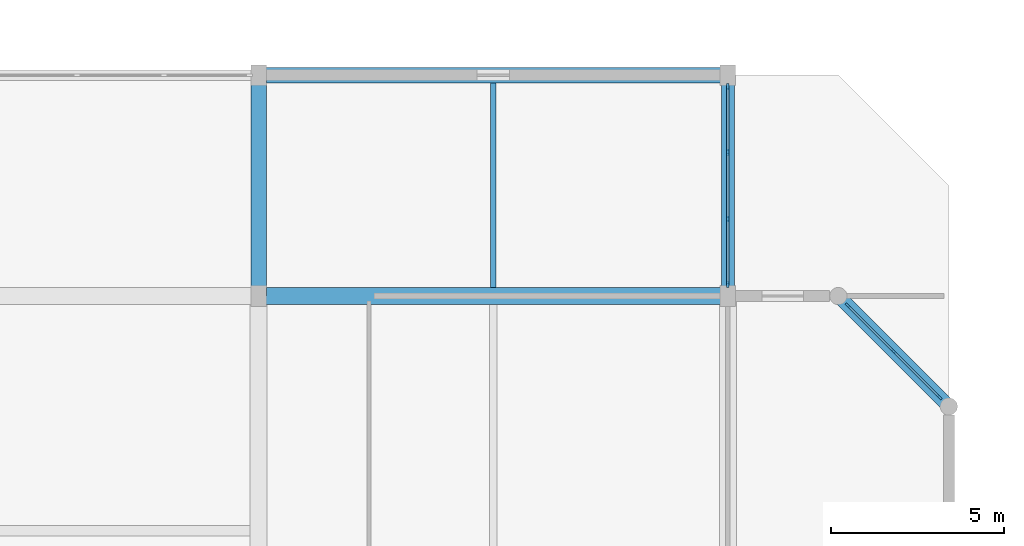
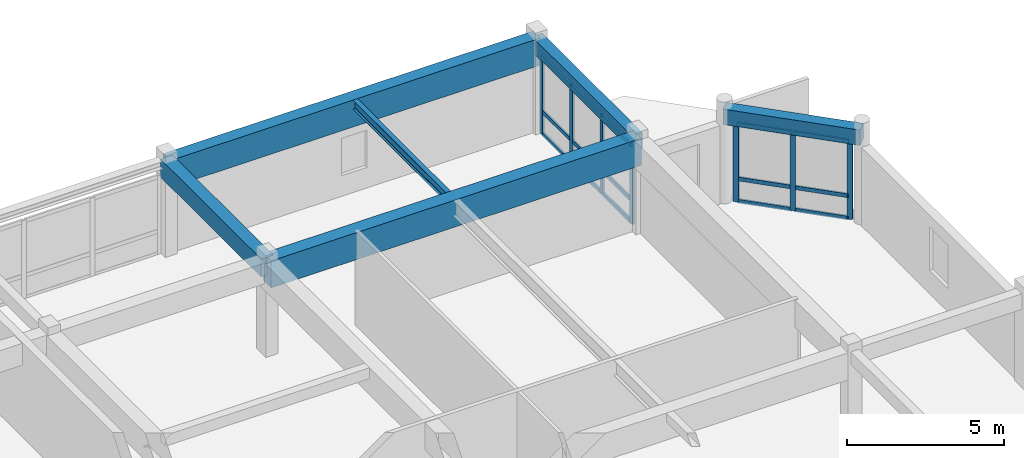
# One storey, part 6 of 12: 22 members, 6 beams, 2 elements without a shape of their own.
"""IFC4 building model written with IfcOpenShell, lengths in metres."""

import ifcopenshell
import ifcopenshell.guid

model = None  # the IFC model being written
_history = None  # IfcOwnerHistory: only IFC2X3 demands one
_inside = {}  # id of a spatial element -> (the spatial element, [elements in it])
_under = {}  # id of a project, library or spatial element -> (it, [spatial elements below it])
_declared = {}  # id of a project -> (the project, [libraries it declares])
_typed = {}  # id of a type object -> (the type object, [elements of that type])
_made_of = {}  # id of a material, layer set ... -> (it, [elements and type objects made of it])


def new_model(schema):
    """Start an empty IFC model of exactly this schema.

    Asked for "IFC4X3", IfcOpenShell would pick the latest addendum, in which some entities
    have other attributes; the version numbers below select the first issue.
    IFC2X3 requires an IfcOwnerHistory on every rooted entity: one is made here for all.
    """
    global model, _history
    if schema == "IFC4X3":
        model = ifcopenshell.file(schema_version=(4, 3, 0, 0))
    else:
        model = ifcopenshell.file(schema=schema)
    _inside.clear()
    _under.clear()
    _declared.clear()
    _typed.clear()
    _made_of.clear()
    _history = None
    if model.schema == "IFC2X3":
        org = make("IfcOrganization", Name="unknown")
        user = make(
            "IfcPersonAndOrganization",
            ThePerson=make("IfcPerson", FamilyName="unknown"),
            TheOrganization=org,
        )
        app = make(
            "IfcApplication",
            ApplicationDeveloper=org,
            Version="unknown",
            ApplicationFullName="unknown",
            ApplicationIdentifier="unknown",
        )
        _history = make(
            "IfcOwnerHistory",
            OwningUser=user,
            OwningApplication=app,
            ChangeAction="ADDED",
            CreationDate=0,
        )
    return model


def make(cls, **values):
    """One entity of the class cls with the attributes given. An attribute that is None is left unset."""
    return model.create_entity(
        cls, **{name: value for name, value in values.items() if value is not None}
    )


def rooted(cls, **values):
    """An entity with a GlobalId (a new one), such as an element, a storey or a relation."""
    return make(cls, GlobalId=ifcopenshell.guid.new(), OwnerHistory=_history, **values)


def si_unit(unit_type, name, prefix=None):
    """IfcSIUnit, for example si_unit("LENGTHUNIT", "METRE", prefix="MILLI")."""
    return make("IfcSIUnit", UnitType=unit_type, Prefix=prefix, Name=name)


def assignment(units):
    """IfcUnitAssignment: the units of a project."""
    return None if units is None else make("IfcUnitAssignment", Units=units)


def point(xyz):
    """IfcCartesianPoint."""
    return None if xyz is None else make("IfcCartesianPoint", Coordinates=xyz)


def direction(xyz):
    """IfcDirection."""
    return None if xyz is None else make("IfcDirection", DirectionRatios=xyz)


def frame(location, z_axis=None, x_axis=None):
    """IfcAxis2Placement3D, a coordinate frame: its origin and axes. An axis left out is left unset."""
    return make(
        "IfcAxis2Placement3D",
        Location=point(location),
        Axis=direction(z_axis),
        RefDirection=direction(x_axis),
    )


def frame_2d(location, x_axis=None):
    """IfcAxis2Placement2D, a coordinate frame in the plane: its origin and x axis."""
    return make(
        "IfcAxis2Placement2D", Location=point(location), RefDirection=direction(x_axis)
    )


def origin():
    """The frame at (0, 0, 0) with its axes left unset."""
    return frame((0.0, 0.0, 0.0))


def origin_2d():
    """The frame at (0, 0) in the plane with its x axis left unset."""
    return frame_2d((0.0, 0.0))


def place(relative_to, where):
    """IfcLocalPlacement: puts the frame where relative to a parent placement (None: the world)."""
    return make(
        "IfcLocalPlacement", PlacementRelTo=relative_to, RelativePlacement=where
    )


def context(
    kind, dimensions, precision=None, world=None, true_north=None, identifier=None
):
    """IfcGeometricRepresentationContext, for example the 3D "Model" context."""
    return make(
        "IfcGeometricRepresentationContext",
        ContextIdentifier=identifier,
        ContextType=kind,
        CoordinateSpaceDimension=dimensions,
        Precision=precision,
        WorldCoordinateSystem=world,
        TrueNorth=true_north,
    )


def subcontext(parent, identifier, kind, view, scale=None):
    """IfcGeometricRepresentationSubContext, for example "Body" below "Model"."""
    return make(
        "IfcGeometricRepresentationSubContext",
        ContextIdentifier=identifier,
        ContextType=kind,
        ParentContext=parent,
        TargetScale=scale,
        TargetView=view,
    )


def project(units=None, contexts=None):
    """IfcProject with its units and contexts."""
    return rooted(
        "IfcProject",
        Name="project",
        RepresentationContexts=contexts,
        UnitsInContext=assignment(units),
    )


def spatial(cls, under=None, at=None, **own):
    """A site, building, storey or space (cls), placed at a placement, below another one or the project."""
    s = rooted(cls, ObjectPlacement=at, **own)
    if under is not None:
        _under.setdefault(under.id(), (under, []))[1].append(s)
    return s


def profile(cls, at=None, kind="AREA", **sizes):
    """A parametric profile (cls). Its sizes go by their IFC names, for example OverallWidth=200.0."""
    return make(cls, ProfileType=kind, Position=at, **sizes)


def rectangle(**sizes):
    """IfcRectangleProfileDef."""
    return profile("IfcRectangleProfileDef", **sizes)


def i_section(**sizes):
    """IfcIShapeProfileDef."""
    return profile("IfcIShapeProfileDef", **sizes)


def extrude(swept, where, along, depth):
    """IfcExtrudedAreaSolid: the profile swept, set in the frame where, extruded along a direction by depth."""
    return make(
        "IfcExtrudedAreaSolid",
        SweptArea=swept,
        Position=where,
        ExtrudedDirection=direction(along),
        Depth=depth,
    )


def shape(context_of_items, identifier, shape_type, items):
    """IfcShapeRepresentation: the items that make up one representation, for example the "Body"."""
    return make(
        "IfcShapeRepresentation",
        ContextOfItems=context_of_items,
        RepresentationIdentifier=identifier,
        RepresentationType=shape_type,
        Items=items,
    )


def material(Name=None, Category=None):
    """IfcMaterial."""
    return make("IfcMaterial", Name=Name, Category=Category)


def material_profile(
    of_material, cross_section, Name=None, Category=None, Priority=None
):
    """IfcMaterialProfile: a cross section and its material."""
    return make(
        "IfcMaterialProfile",
        Name=Name,
        Material=of_material,
        Profile=cross_section,
        Priority=Priority,
        Category=Category,
    )


def profile_set(profiles, Name=None, composite=None):
    """IfcMaterialProfileSet."""
    return make(
        "IfcMaterialProfileSet",
        Name=Name,
        MaterialProfiles=profiles,
        CompositeProfile=composite,
    )


def made_of(thing, what):
    """Note that an element or type object is made of a material, layer set ...; save() writes the relation."""
    if what is not None:
        _made_of.setdefault(what.id(), (what, []))[1].append(thing)
    return thing


def type_object(cls, material=None, **own):
    """A type object (cls), such as IfcWallType, which elements share."""
    return made_of(rooted(cls, **own), material)


def element(
    cls,
    number,
    at=None,
    inside=None,
    cuts=None,
    type_object=None,
    material=None,
    context=None,
    identifier="Body",
    shape_type=None,
    held_by="IfcProductDefinitionShape",
    body=None,
    shapes=None,
    **own,
):
    """One element of the class cls, such as IfcWall. Its Tag is "e" and its number.

    at: its placement. inside: the storey or other place that contains it. cuts: it is an
    opening in that element (IfcRelVoidsElement). A single representation is given by context,
    identifier, shape_type and body (its items); several are given by shapes. held_by: the class
    of the entity that holds the representations. save() writes the other relations.
    """
    e = rooted(cls, Tag="e%d" % number, ObjectPlacement=at, **own)
    if body is not None:
        shapes = [shape(context, identifier, shape_type, body)]
    if shapes is not None:
        e.Representation = make(held_by, Representations=shapes)
    if inside is not None:
        _inside.setdefault(inside.id(), (inside, []))[1].append(e)
    if cuts is not None:
        rooted(
            "IfcRelVoidsElement", RelatingBuildingElement=cuts, RelatedOpeningElement=e
        )
    if type_object is not None:
        _typed.setdefault(type_object.id(), (type_object, []))[1].append(e)
    return made_of(e, material)


def aggregate(whole, parts):
    """IfcRelAggregates: a whole, such as a stair, and the parts it consists of."""
    return rooted("IfcRelAggregates", RelatingObject=whole, RelatedObjects=parts)


def save(model, path):
    """Write the relations noted so far, then the file.

    IfcRelAggregates (storeys below a building ...), IfcRelContainedInSpatialStructure (elements
    in a storey), IfcRelDefinesByType, IfcRelAssociatesMaterial and IfcRelDeclares: one each for
    every whole, place, type object, material and project.
    """
    for whole, parts in _under.values():
        aggregate(whole, parts)
    for where, things in _inside.values():
        rooted(
            "IfcRelContainedInSpatialStructure",
            RelatedElements=things,
            RelatingStructure=where,
        )
    for kind, things in _typed.values():
        rooted("IfcRelDefinesByType", RelatedObjects=things, RelatingType=kind)
    for what, things in _made_of.values():
        rooted("IfcRelAssociatesMaterial", RelatedObjects=things, RelatingMaterial=what)
    for by, libraries in _declared.values():
        rooted("IfcRelDeclares", RelatingContext=by, RelatedDefinitions=libraries)
    model.write(path)


model = new_model("IFC4")

# Units and contexts
model_context = context("Model", 3, precision=1e-05, world=origin(), true_north=direction((0.0, 1.0)))
body_context = subcontext(model_context, "Body", "Model", "MODEL_VIEW")
ifc_project = project(units=[si_unit("LENGTHUNIT", "METRE"), si_unit("AREAUNIT", "SQUARE_METRE"), si_unit("VOLUMEUNIT", "CUBIC_METRE"), si_unit("PLANEANGLEUNIT", "RADIAN"), si_unit("MASSUNIT", "GRAM", prefix="KILO")], contexts=[model_context])

# Site, building, storey
site_placement = place(None, origin())
site = spatial("IfcSite", under=ifc_project, at=site_placement, CompositionType="ELEMENT")
building_placement = place(site_placement, origin())
building = spatial("IfcBuilding", under=site, at=building_placement, Name="Vellmiral Cinema and Media Centre", CompositionType="ELEMENT")
storey_placement = place(building_placement, frame((0.0, 0.0, 62.64990234375)))
storey = spatial("IfcBuildingStorey", under=building, at=storey_placement, Name="L15", CompositionType="ELEMENT", Elevation=62.64990234375)

# Beams
ifc_material_1 = material(Name="Concrete C40/50", Category="concrete")
ifc_material_profile_1 = material_profile(ifc_material_1, rectangle(XDim=0.449951171875, YDim=0.699951171875, at=origin_2d()), Name="RC 450x700")
ifc_profile_set_1 = profile_set([ifc_material_profile_1], Name="Concrete C40/50")
beam_type_1 = type_object("IfcBeamType", Name="BM-RC-450x700", PredefinedType="BEAM", material=ifc_profile_set_1)
beam_1_placement = place(storey_placement, frame((148.0, 108.800048828125, 3.295166015625), z_axis=(0.0, 1.0, 0.0), x_axis=(-1.0, 0.0, 0.0)))
element("IfcBeam", 1, at=beam_1_placement, inside=storey, type_object=beam_type_1, Name="Grid Beam L15-Y052", PredefinedType="BEAM", context=body_context, shape_type="SweptSolid", body=[
    extrude(rectangle(XDim=0.449951171875, YDim=0.699951171875, at=origin_2d()), origin(), (0.0, 0.0, 1.0), 6.39990234375),
])
ifc_material_2 = material(Name="Concrete C40/50", Category="concrete")
ifc_material_profile_2 = material_profile(ifc_material_2, rectangle(XDim=0.5, YDim=1.050048828125, at=origin_2d()), Name="RC 500x1050")
ifc_profile_set_2 = profile_set([ifc_material_profile_2], Name="Concrete C40/50")
beam_type_2 = type_object("IfcBeamType", Name="BM-RCG-500x1050", PredefinedType="BEAM", material=ifc_profile_set_2)
beam_2_placement = place(storey_placement, frame((148.0, 108.800048828125, 3.1201171875), z_axis=(1.0, 0.0, 0.0), x_axis=(0.0, 1.0, 0.0)))
element("IfcBeam", 2, at=beam_2_placement, inside=storey, type_object=beam_type_2, Name="Grid Beam L15-X026", PredefinedType="BEAM", context=body_context, shape_type="SweptSolid", body=[
    extrude(rectangle(XDim=0.5, YDim=1.050048828125, at=origin_2d()), origin(), (0.0, 0.0, 1.0), 13.60009765625),
])

# Curtain wall, members
ifc_material_3 = material(Name="Thermally Broken Aluminium and Triple Glazing", Category="aluminium")
curtain_wall_type = type_object("IfcCurtainWallType", Name="CW-CROWN-LANTERN", PredefinedType="USERDEFINED", material=ifc_material_3)
curtain_wall_1_placement = place(storey_placement, origin())
curtain_wall_1 = element("IfcCurtainWall", 3, at=curtain_wall_1_placement, inside=storey, type_object=curtain_wall_type, Name="Curtain Wall L15-B012", ObjectType="STICK CURTAIN WALL", PredefinedType="USERDEFINED")
ifc_material_4 = material(Name="Thermally Broken Anodised Aluminium", Category="aluminium")
ifc_material_profile_3 = material_profile(ifc_material_4, rectangle(XDim=0.070068359375, YDim=0.179931640625, at=origin_2d()), Name="MULL 70x180")
ifc_profile_set_3 = profile_set([ifc_material_profile_3], Name="Thermally Broken Anodised Aluminium")
member_type_1 = type_object("IfcMemberType", Name="CWM-70x180", PredefinedType="MULLION", material=ifc_profile_set_3)
member_1_placement = place(storey_placement, frame((167.725341796875, 105.874755859375, 0.0), z_axis=(0.0, 0.0, 1.0), x_axis=(-0.707106781187, -0.707106781187, 0.0)))
member_1 = element("IfcMember", 4, at=member_1_placement, type_object=member_type_1, Name="CW-10 mullion 1", PredefinedType="MULLION", context=body_context, shape_type="SweptSolid", body=[
    extrude(rectangle(XDim=0.070068359375, YDim=0.179931640625, at=origin_2d()), origin(), (0.0, 0.0, 1.0), 3.050048828125),
])
member_2_placement = place(storey_placement, frame((166.39990234375, 107.199951171875, 0.0), z_axis=(0.0, 0.0, 1.0), x_axis=(-0.707106781187, -0.707106781187, 0.0)))
member_2 = element("IfcMember", 5, at=member_2_placement, type_object=member_type_1, Name="CW-10 mullion 2", PredefinedType="MULLION", context=body_context, shape_type="SweptSolid", body=[
    extrude(rectangle(XDim=0.070068359375, YDim=0.179931640625, at=origin_2d()), origin(), (0.0, 0.0, 1.0), 3.050048828125),
])
member_3_placement = place(storey_placement, frame((165.07470703125, 108.525146484375, 0.0), z_axis=(0.0, 0.0, 1.0), x_axis=(-0.707106781187, -0.707106781187, 0.0)))
member_3 = element("IfcMember", 6, at=member_3_placement, type_object=member_type_1, Name="CW-10 mullion 3", PredefinedType="MULLION", context=body_context, shape_type="SweptSolid", body=[
    extrude(rectangle(XDim=0.070068359375, YDim=0.179931640625, at=origin_2d()), origin(), (0.0, 0.0, 1.0), 3.050048828125),
])

curtain_wall_2_placement = place(storey_placement, origin())
curtain_wall_2 = element("IfcCurtainWall", 7, at=curtain_wall_2_placement, inside=storey, type_object=curtain_wall_type, Name="Curtain Wall L15-B014", ObjectType="STICK CURTAIN WALL", PredefinedType="USERDEFINED")
member_4_placement = place(storey_placement, frame((161.60009765625, 109.135009765625, 0.0), z_axis=(0.0, 0.0, 1.0), x_axis=(-1.0, 0.0, 0.0)))
member_4 = element("IfcMember", 8, at=member_4_placement, type_object=member_type_1, Name="CW-10 mullion 1", PredefinedType="MULLION", context=body_context, shape_type="SweptSolid", body=[
    extrude(rectangle(XDim=0.070068359375, YDim=0.179931640625, at=origin_2d()), origin(), (0.0, 0.0, 1.0), 3.050048828125),
])
member_5_placement = place(storey_placement, frame((161.60009765625, 111.033447265625, 0.0), z_axis=(0.0, 0.0, 1.0), x_axis=(-1.0, 0.0, 0.0)))
member_5 = element("IfcMember", 9, at=member_5_placement, type_object=member_type_1, Name="CW-10 mullion 2", PredefinedType="MULLION", context=body_context, shape_type="SweptSolid", body=[
    extrude(rectangle(XDim=0.070068359375, YDim=0.179931640625, at=origin_2d()), origin(), (0.0, 0.0, 1.0), 3.050048828125),
])
member_6_placement = place(storey_placement, frame((161.60009765625, 112.966552734375, 0.0), z_axis=(0.0, 0.0, 1.0), x_axis=(-1.0, 0.0, 0.0)))
member_6 = element("IfcMember", 10, at=member_6_placement, type_object=member_type_1, Name="CW-10 mullion 3", PredefinedType="MULLION", context=body_context, shape_type="SweptSolid", body=[
    extrude(rectangle(XDim=0.070068359375, YDim=0.179931640625, at=origin_2d()), origin(), (0.0, 0.0, 1.0), 3.050048828125),
])
member_7_placement = place(storey_placement, frame((161.60009765625, 114.864990234375, 0.0), z_axis=(0.0, 0.0, 1.0), x_axis=(-1.0, 0.0, 0.0)))
member_7 = element("IfcMember", 11, at=member_7_placement, type_object=member_type_1, Name="CW-10 mullion 4", PredefinedType="MULLION", context=body_context, shape_type="SweptSolid", body=[
    extrude(rectangle(XDim=0.070068359375, YDim=0.179931640625, at=origin_2d()), origin(), (0.0, 0.0, 1.0), 3.050048828125),
])

# Member
ifc_material_5 = material(Name="Thermally Broken Anodised Aluminium", Category="aluminium")
ifc_material_profile_4 = material_profile(ifc_material_5, rectangle(XDim=0.070068359375, YDim=0.14990234375, at=origin_2d()), Name="MULL 70x150")
ifc_profile_set_4 = profile_set([ifc_material_profile_4], Name="Thermally Broken Anodised Aluminium")
member_type_2 = type_object("IfcMemberType", Name="CWT-70x150", PredefinedType="USERDEFINED", material=ifc_profile_set_4)
member_8_placement = place(storey_placement, frame((167.700439453125, 105.8994140625, 0.03515625), z_axis=(-0.707039118704, 0.707174437195, 0.0), x_axis=(-0.707174437195, -0.707039118704, 0.0)))
member_8 = element("IfcMember", 12, at=member_8_placement, type_object=member_type_2, Name="CW-10 transom 1.1", ObjectType="TRANSOM", PredefinedType="USERDEFINED", context=body_context, shape_type="SweptSolid", body=[
    extrude(rectangle(XDim=0.070068359375, YDim=0.14990234375, at=origin_2d()), origin(), (0.0, 0.0, 1.0), 1.80419921875),
])

member_9_placement = place(storey_placement, frame((167.700439453125, 105.8994140625, 0.900146484375), z_axis=(-0.707039118704, 0.707174437195, 0.0), x_axis=(-0.707174437195, -0.707039118704, 0.0)))
member_9 = element("IfcMember", 13, at=member_9_placement, type_object=member_type_2, Name="CW-10 transom 1.2", ObjectType="TRANSOM", PredefinedType="USERDEFINED", context=body_context, shape_type="SweptSolid", body=[
    extrude(rectangle(XDim=0.070068359375, YDim=0.14990234375, at=origin_2d()), origin(), (0.0, 0.0, 1.0), 1.80419921875),
])

member_10_placement = place(storey_placement, frame((167.700439453125, 105.8994140625, 3.01513671875), z_axis=(-0.707039118704, 0.707174437195, 0.0), x_axis=(-0.707174437195, -0.707039118704, 0.0)))
member_10 = element("IfcMember", 14, at=member_10_placement, type_object=member_type_2, Name="CW-10 transom 1.3", ObjectType="TRANSOM", PredefinedType="USERDEFINED", context=body_context, shape_type="SweptSolid", body=[
    extrude(rectangle(XDim=0.070068359375, YDim=0.14990234375, at=origin_2d()), origin(), (0.0, 0.0, 1.0), 1.80419921875),
])

member_11_placement = place(storey_placement, frame((166.375244140625, 107.224853515625, 0.03515625), z_axis=(-0.707106781187, 0.707106781187, 0.0), x_axis=(-0.707106781187, -0.707106781187, 0.0)))
member_11 = element("IfcMember", 15, at=member_11_placement, type_object=member_type_2, Name="CW-10 transom 2.1", ObjectType="TRANSOM", PredefinedType="USERDEFINED", context=body_context, shape_type="SweptSolid", body=[
    extrude(rectangle(XDim=0.070068359375, YDim=0.14990234375, at=origin_2d()), origin(), (0.0, 0.0, 1.0), 1.803955078125),
])

member_12_placement = place(storey_placement, frame((166.375244140625, 107.224853515625, 0.900146484375), z_axis=(-0.707106781187, 0.707106781187, 0.0), x_axis=(-0.707106781187, -0.707106781187, 0.0)))
member_12 = element("IfcMember", 16, at=member_12_placement, type_object=member_type_2, Name="CW-10 transom 2.2", ObjectType="TRANSOM", PredefinedType="USERDEFINED", context=body_context, shape_type="SweptSolid", body=[
    extrude(rectangle(XDim=0.070068359375, YDim=0.14990234375, at=origin_2d()), origin(), (0.0, 0.0, 1.0), 1.803955078125),
])

member_13_placement = place(storey_placement, frame((166.375244140625, 107.224853515625, 3.01513671875), z_axis=(-0.707106781187, 0.707106781187, 0.0), x_axis=(-0.707106781187, -0.707106781187, 0.0)))
member_13 = element("IfcMember", 17, at=member_13_placement, type_object=member_type_2, Name="CW-10 transom 2.3", ObjectType="TRANSOM", PredefinedType="USERDEFINED", context=body_context, shape_type="SweptSolid", body=[
    extrude(rectangle(XDim=0.070068359375, YDim=0.14990234375, at=origin_2d()), origin(), (0.0, 0.0, 1.0), 1.803955078125),
])

aggregate(curtain_wall_1, [member_1, member_2, member_3, member_8, member_9, member_10, member_11, member_12, member_13])

member_14_placement = place(storey_placement, frame((161.60009765625, 109.169921875, 0.03515625), z_axis=(0.0, 1.0, 0.0), x_axis=(-1.0, 0.0, 0.0)))
member_14 = element("IfcMember", 18, at=member_14_placement, type_object=member_type_2, Name="CW-10 transom 1.1", ObjectType="TRANSOM", PredefinedType="USERDEFINED", context=body_context, shape_type="SweptSolid", body=[
    extrude(rectangle(XDim=0.070068359375, YDim=0.14990234375, at=origin_2d()), origin(), (0.0, 0.0, 1.0), 1.828369140625),
])

member_15_placement = place(storey_placement, frame((161.60009765625, 109.169921875, 0.900146484375), z_axis=(0.0, 1.0, 0.0), x_axis=(-1.0, 0.0, 0.0)))
member_15 = element("IfcMember", 19, at=member_15_placement, type_object=member_type_2, Name="CW-10 transom 1.2", ObjectType="TRANSOM", PredefinedType="USERDEFINED", context=body_context, shape_type="SweptSolid", body=[
    extrude(rectangle(XDim=0.070068359375, YDim=0.14990234375, at=origin_2d()), origin(), (0.0, 0.0, 1.0), 1.828369140625),
])

member_16_placement = place(storey_placement, frame((161.60009765625, 109.169921875, 3.01513671875), z_axis=(0.0, 1.0, 0.0), x_axis=(-1.0, 0.0, 0.0)))
member_16 = element("IfcMember", 20, at=member_16_placement, type_object=member_type_2, Name="CW-10 transom 1.3", ObjectType="TRANSOM", PredefinedType="USERDEFINED", context=body_context, shape_type="SweptSolid", body=[
    extrude(rectangle(XDim=0.070068359375, YDim=0.14990234375, at=origin_2d()), origin(), (0.0, 0.0, 1.0), 1.828369140625),
])

member_17_placement = place(storey_placement, frame((161.60009765625, 111.068359375, 0.03515625), z_axis=(0.0, 1.0, 0.0), x_axis=(-1.0, 0.0, 0.0)))
member_17 = element("IfcMember", 21, at=member_17_placement, type_object=member_type_2, Name="CW-10 transom 2.1", ObjectType="TRANSOM", PredefinedType="USERDEFINED", context=body_context, shape_type="SweptSolid", body=[
    extrude(rectangle(XDim=0.070068359375, YDim=0.14990234375, at=origin_2d()), origin(), (0.0, 0.0, 1.0), 1.86328125),
])

member_18_placement = place(storey_placement, frame((161.60009765625, 111.068359375, 0.900146484375), z_axis=(0.0, 1.0, 0.0), x_axis=(-1.0, 0.0, 0.0)))
member_18 = element("IfcMember", 22, at=member_18_placement, type_object=member_type_2, Name="CW-10 transom 2.2", ObjectType="TRANSOM", PredefinedType="USERDEFINED", context=body_context, shape_type="SweptSolid", body=[
    extrude(rectangle(XDim=0.070068359375, YDim=0.14990234375, at=origin_2d()), origin(), (0.0, 0.0, 1.0), 1.86328125),
])

member_19_placement = place(storey_placement, frame((161.60009765625, 111.068359375, 3.01513671875), z_axis=(0.0, 1.0, 0.0), x_axis=(-1.0, 0.0, 0.0)))
member_19 = element("IfcMember", 23, at=member_19_placement, type_object=member_type_2, Name="CW-10 transom 2.3", ObjectType="TRANSOM", PredefinedType="USERDEFINED", context=body_context, shape_type="SweptSolid", body=[
    extrude(rectangle(XDim=0.070068359375, YDim=0.14990234375, at=origin_2d()), origin(), (0.0, 0.0, 1.0), 1.86328125),
])

member_20_placement = place(storey_placement, frame((161.60009765625, 113.001708984375, 0.03515625), z_axis=(0.0, 1.0, 0.0), x_axis=(-1.0, 0.0, 0.0)))
member_20 = element("IfcMember", 24, at=member_20_placement, type_object=member_type_2, Name="CW-10 transom 3.1", ObjectType="TRANSOM", PredefinedType="USERDEFINED", context=body_context, shape_type="SweptSolid", body=[
    extrude(rectangle(XDim=0.070068359375, YDim=0.14990234375, at=origin_2d()), origin(), (0.0, 0.0, 1.0), 1.828369140625),
])

member_21_placement = place(storey_placement, frame((161.60009765625, 113.001708984375, 0.900146484375), z_axis=(0.0, 1.0, 0.0), x_axis=(-1.0, 0.0, 0.0)))
member_21 = element("IfcMember", 25, at=member_21_placement, type_object=member_type_2, Name="CW-10 transom 3.2", ObjectType="TRANSOM", PredefinedType="USERDEFINED", context=body_context, shape_type="SweptSolid", body=[
    extrude(rectangle(XDim=0.070068359375, YDim=0.14990234375, at=origin_2d()), origin(), (0.0, 0.0, 1.0), 1.828369140625),
])

member_22_placement = place(storey_placement, frame((161.60009765625, 113.001708984375, 3.01513671875), z_axis=(0.0, 1.0, 0.0), x_axis=(-1.0, 0.0, 0.0)))
member_22 = element("IfcMember", 26, at=member_22_placement, type_object=member_type_2, Name="CW-10 transom 3.3", ObjectType="TRANSOM", PredefinedType="USERDEFINED", context=body_context, shape_type="SweptSolid", body=[
    extrude(rectangle(XDim=0.070068359375, YDim=0.14990234375, at=origin_2d()), origin(), (0.0, 0.0, 1.0), 1.828369140625),
])

aggregate(curtain_wall_2, [member_4, member_5, member_6, member_7, member_14, member_15, member_16, member_17, member_18, member_19, member_20, member_21, member_22])

# Beams
ifc_material_6 = material(Name="Steel S355", Category="steel")
ifc_material_profile_5 = material_profile(ifc_material_6, i_section(OverallWidth=0.169921875, OverallDepth=0.360107421875, WebThickness=0.008056640625, FlangeThickness=0.0126953125, FilletRadius=0.01806640625, at=origin_2d()), Name="IPE 360")
ifc_profile_set_5 = profile_set([ifc_material_profile_5], Name="Steel S355")
beam_type_3 = type_object("IfcBeamType", Name="SBM-IPE360", PredefinedType="JOIST", material=ifc_profile_set_5)
beam_3_placement = place(storey_placement, frame((154.800048828125, 109.050048828125, 3.465087890625), z_axis=(0.0, 1.0, 0.0), x_axis=(-1.0, 0.0, 0.0)))
element("IfcBeam", 27, at=beam_3_placement, inside=storey, type_object=beam_type_3, Name="Secondary Floor Joist L15-008", PredefinedType="JOIST", context=body_context, shape_type="SweptSolid", body=[
    extrude(i_section(OverallWidth=0.169921875, OverallDepth=0.360107421875, WebThickness=0.008056640625, FlangeThickness=0.0126953125, FilletRadius=0.01806640625, at=origin_2d()), origin(), (0.0, 0.0, 1.0), 5.925048828125),
])
ifc_material_7 = material(Name="Concrete C40/50", Category="concrete")
ifc_material_profile_6 = material_profile(ifc_material_7, rectangle(XDim=0.39990234375, YDim=0.60009765625, at=origin_2d()), Name="RC 400x600")
ifc_profile_set_6 = profile_set([ifc_material_profile_6], Name="Concrete C40/50")
beam_type_4 = type_object("IfcBeamType", Name="SPD-RC-400x600", PredefinedType="SPANDREL", material=ifc_profile_set_6)
beam_4_placement = place(storey_placement, frame((164.800048828125, 108.800048828125, 3.34521484375), z_axis=(0.707106781187, -0.707106781187, 0.0), x_axis=(0.707106781187, 0.707106781187, 0.0)))
element("IfcBeam", 28, at=beam_4_placement, inside=storey, type_object=beam_type_4, Name="Xamfra Chamfer Spandrel Beam L15-063", PredefinedType="SPANDREL", context=body_context, shape_type="SweptSolid", body=[
    extrude(rectangle(XDim=0.39990234375, YDim=0.60009765625, at=origin_2d()), origin(), (0.0, 0.0, 1.0), 4.525390625),
])
ifc_material_8 = material(Name="Concrete C40/50", Category="concrete")
ifc_material_profile_7 = material_profile(ifc_material_8, rectangle(XDim=0.449951171875, YDim=1.050048828125, at=origin_2d()), Name="RC 450x1050")
ifc_profile_set_7 = profile_set([ifc_material_profile_7], Name="Concrete C40/50")
beam_type_5 = type_object("IfcBeamType", Name="SPD-RCG-450x1050", PredefinedType="SPANDREL", material=ifc_profile_set_7)
beam_5_placement = place(storey_placement, frame((148.0, 115.199951171875, 3.1201171875), z_axis=(1.0, 0.0, 0.0), x_axis=(0.0, 1.0, 0.0)))
element("IfcBeam", 29, at=beam_5_placement, inside=storey, type_object=beam_type_5, Name="Grid Beam L15-X030", PredefinedType="SPANDREL", context=body_context, shape_type="SweptSolid", body=[
    extrude(rectangle(XDim=0.449951171875, YDim=1.050048828125, at=origin_2d()), origin(), (0.0, 0.0, 1.0), 13.60009765625),
])
ifc_material_9 = material(Name="Vosges Red Sandstone Masonry", Category="masonry")
ifc_material_profile_8 = material_profile(ifc_material_9, rectangle(XDim=0.3798828125, YDim=0.580078125, at=origin_2d()), Name="SAND 380x580")
ifc_profile_set_8 = profile_set([ifc_material_profile_8], Name="Vosges Red Sandstone Masonry")
beam_type_6 = type_object("IfcBeamType", Name="SPD-SAND-380x580", PredefinedType="SPANDREL", material=ifc_profile_set_8)
beam_6_placement = place(storey_placement, frame((161.60009765625, 108.800048828125, 3.35498046875), z_axis=(0.0, 1.0, 0.0), x_axis=(-1.0, 0.0, 0.0)))
element("IfcBeam", 30, at=beam_6_placement, inside=storey, type_object=beam_type_6, Name="Grid Beam L15-Y057", PredefinedType="SPANDREL", context=body_context, shape_type="SweptSolid", body=[
    extrude(rectangle(XDim=0.3798828125, YDim=0.580078125, at=origin_2d()), origin(), (0.0, 0.0, 1.0), 6.39990234375),
])

save(model, "model.ifc")
